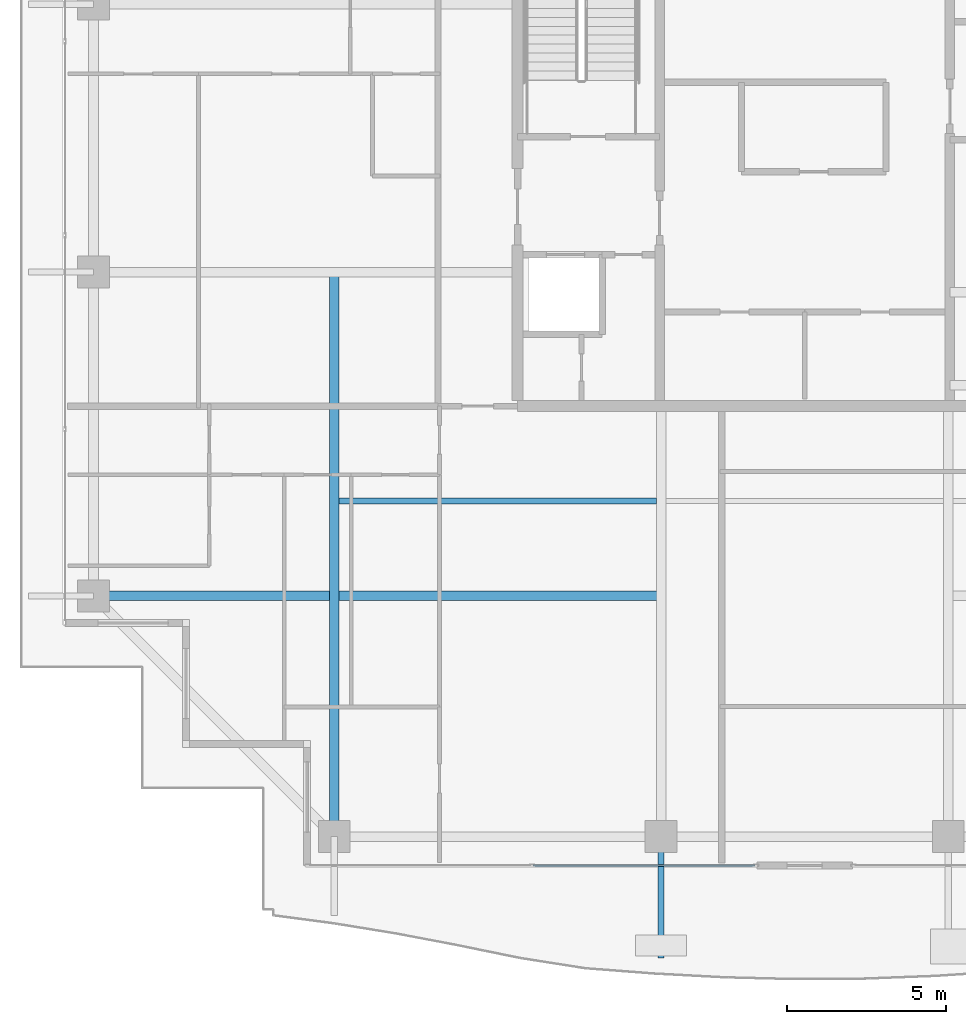
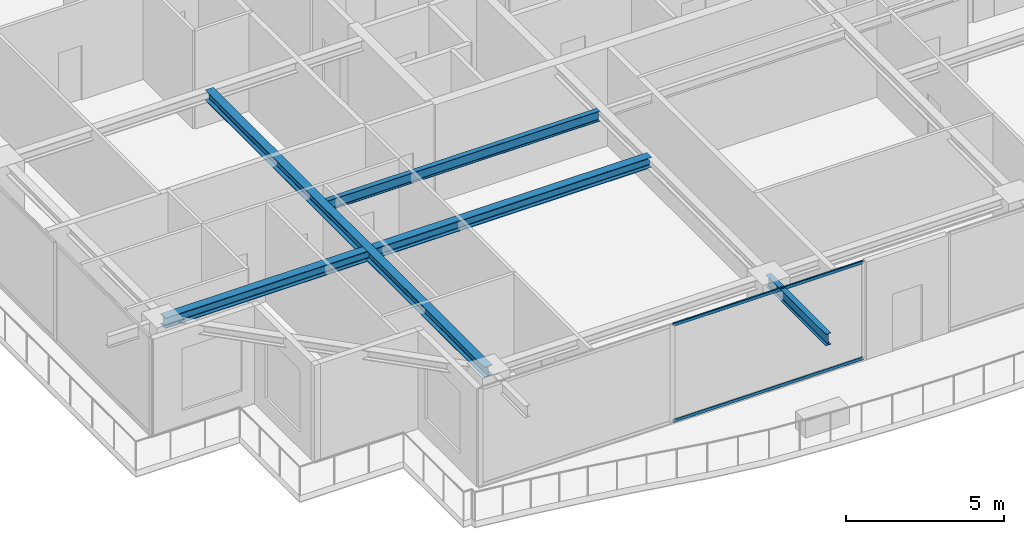
# One storey, part 5 of 42: 4 beams, 2 members, 1 element without a shape of its own.
"""IFC4 building model written with IfcOpenShell, lengths in metres."""

from ifc_helpers import new_model, si_unit, direction, frame, origin, origin_2d, place, context, subcontext, project, spatial, hollow_rectangle, i_section, extrude, source, transform, mapped, material, layer, layer_set, material_profile, profile_set, type_object, element, aggregate, save


model = new_model("IFC4")

# Units and contexts
model_context = context("Model", 3, precision=1e-05, world=origin(), true_north=direction((0.0, 1.0)))
body_context = subcontext(model_context, "Body", "Model", "MODEL_VIEW")
ifc_project = project(units=[si_unit("LENGTHUNIT", "METRE"), si_unit("AREAUNIT", "SQUARE_METRE"), si_unit("VOLUMEUNIT", "CUBIC_METRE"), si_unit("PLANEANGLEUNIT", "RADIAN"), si_unit("MASSUNIT", "GRAM", prefix="KILO")], contexts=[model_context])

# Site, building, storey
site_placement = place(None, origin())
site = spatial("IfcSite", under=ifc_project, at=site_placement, CompositionType="ELEMENT")
building_placement = place(site_placement, origin())
building = spatial("IfcBuilding", under=site, at=building_placement, Name="Serunith Strait Residences", CompositionType="ELEMENT")
storey_placement = place(building_placement, frame((0.0, 0.0, 297.5)))
storey = spatial("IfcBuildingStorey", under=building, at=storey_placement, Name="L74", CompositionType="ELEMENT", Elevation=297.5)

# Beams
ifc_material_1 = material(Name="Steel S355J2", Category="steel")
ifc_material_profile_1 = material_profile(ifc_material_1, i_section(OverallWidth=0.300048828125, OverallDepth=0.39990234375, WebThickness=0.013427734375, FlangeThickness=0.02392578125, FilletRadius=0.027099609375, at=origin_2d()), Name="HEB 400")
ifc_profile_set_1 = profile_set([ifc_material_profile_1], Name="Steel S355J2")
beam_type_1 = type_object("IfcBeamType", Name="BM-HEB400", PredefinedType="BEAM", material=ifc_profile_set_1)
shared_shape_1 = source(origin(), body_context, "Body", "SweptSolid", [
    extrude(i_section(OverallWidth=0.300048828125, OverallDepth=0.39990234375, WebThickness=0.013427734375, FlangeThickness=0.02392578125, FilletRadius=0.027099609375, at=origin_2d()), origin(), (0.0, 0.0, 1.0), 17.699951171875),
])
beam_1_placement = place(storey_placement, frame((17.64990234375, 21.0, 3.5869140625), z_axis=(0.0, -1.0, 0.0), x_axis=(1.0, 0.0, 0.0)))
element("IfcBeam", 1, at=beam_1_placement, inside=storey, type_object=beam_type_1, Name="L74 Orthogonal Corner Girder TC-S1", PredefinedType="BEAM", context=body_context, shape_type="MappedRepresentation", body=[
    mapped(shared_shape_1, transform((0.0, 0.0, 0.0), scale=1.0)),
])
shared_shape_2 = source(origin(), body_context, "Body", "SweptSolid", [
    extrude(i_section(OverallWidth=0.300048828125, OverallDepth=0.39990234375, WebThickness=0.013427734375, FlangeThickness=0.02392578125, FilletRadius=0.027099609375, at=origin_2d()), origin(), (0.0, 0.0, 1.0), 17.7998046875),
])
beam_2_placement = place(storey_placement, frame((27.89990234375, 10.85009765625, 3.5869140625), z_axis=(-1.0, 0.0, 0.0), x_axis=(0.0, -1.0, 0.0)))
element("IfcBeam", 2, at=beam_2_placement, inside=storey, type_object=beam_type_1, Name="L74 Orthogonal Corner Girder TC-W1", PredefinedType="BEAM", context=body_context, shape_type="MappedRepresentation", body=[
    mapped(shared_shape_2, transform((0.0, 0.0, 0.0), scale=1.0)),
])
ifc_material_profile_2 = material_profile(ifc_material_1, i_section(OverallWidth=0.179931640625, OverallDepth=0.39990234375, WebThickness=0.008544921875, FlangeThickness=0.013427734375, FilletRadius=0.02099609375, at=origin_2d()), Name="IPE 400")
ifc_profile_set_2 = profile_set([ifc_material_profile_2], Name="Steel S355J2")
beam_type_2 = type_object("IfcBeamType", Name="BM-IPE400", PredefinedType="JOIST", material=ifc_profile_set_2)
shared_shape_3 = source(origin(), body_context, "Body", "SweptSolid", [
    extrude(i_section(OverallWidth=0.179931640625, OverallDepth=0.39990234375, WebThickness=0.008544921875, FlangeThickness=0.013427734375, FilletRadius=0.02099609375, at=origin_2d()), origin(), (0.0, 0.0, 1.0), 9.949951171875),
])
beam_3_placement = place(storey_placement, frame((17.800048828125, 13.824951171875, 3.5869140625), z_axis=(1.0, 0.0, 0.0), x_axis=(0.0, 1.0, 0.0)))
element("IfcBeam", 3, at=beam_3_placement, inside=storey, type_object=beam_type_2, Name="L74 Composite Floor Joist 01", PredefinedType="JOIST", context=body_context, shape_type="MappedRepresentation", body=[
    mapped(shared_shape_3, transform((0.0, 0.0, 0.0), scale=1.0)),
])
ifc_material_profile_3 = material_profile(ifc_material_1, i_section(OverallWidth=0.18994140625, OverallDepth=0.449951171875, WebThickness=0.009521484375, FlangeThickness=0.0146484375, FilletRadius=0.02099609375, at=origin_2d()), Name="IPE 450")
ifc_profile_set_3 = profile_set([ifc_material_profile_3], Name="Steel S355J2")
beam_type_3 = type_object("IfcBeamType", Name="BM-IPE450", PredefinedType="JOIST", material=ifc_profile_set_3)
shared_shape_4 = source(origin(), body_context, "Body", "SweptSolid", [
    extrude(i_section(OverallWidth=0.18994140625, OverallDepth=0.449951171875, WebThickness=0.009521484375, FlangeThickness=0.0146484375, FilletRadius=0.02099609375, at=origin_2d()), origin(), (0.0, 0.0, 1.0), 3.800048828125),
])
beam_4_placement = place(storey_placement, frame((27.89990234375, 3.300048828125, 3.531982421875), z_axis=(0.0, -1.0, 0.0), x_axis=(1.0, 0.0, 0.0)))
element("IfcBeam", 4, at=beam_4_placement, inside=storey, type_object=beam_type_3, Name="L75 Cantilevered Balcony Rib TC-S2", PredefinedType="JOIST", context=body_context, shape_type="MappedRepresentation", body=[
    mapped(shared_shape_4, transform((0.0, 0.0, 0.0), scale=1.0)),
])

# Curtain wall, members
ifc_material_2 = material(Name="Brushed Stainless-Silver Aluminium", Category="aluminium")
ifc_layer = layer(ifc_material_2, 0.199951171875, Name="Brushed Stainless-Silver Aluminium")
ifc_layer_set = layer_set([ifc_layer], Name="Brushed Stainless-Silver Aluminium")
curtain_wall_type = type_object("IfcCurtainWallType", Name="CW-SYS5", PredefinedType="NOTDEFINED", material=ifc_layer_set)
curtain_wall_placement = place(storey_placement, origin())
curtain_wall = element("IfcCurtainWall", 5, at=curtain_wall_placement, inside=storey, type_object=curtain_wall_type, Name="L74 S Unitised Fritted Curtain Wall", PredefinedType="NOTDEFINED")
ifc_material_profile_4 = material_profile(ifc_material_2, hollow_rectangle(XDim=0.06005859375, YDim=0.1201171875, WallThickness=0.00341796875, InnerFilletRadius=0.00537109375, OuterFilletRadius=0.0087890625, at=origin_2d()), Name="ALU 120x60x3.5")
ifc_profile_set_4 = profile_set([ifc_material_profile_4], Name="Brushed Stainless-Silver Aluminium")
member_type = type_object("IfcMemberType", Name="CW-SYS5-TRAN", PredefinedType="USERDEFINED", material=ifc_profile_set_4)
shared_shape_5 = source(origin(), body_context, "Body", "SweptSolid", [
    extrude(hollow_rectangle(XDim=0.06005859375, YDim=0.1201171875, WallThickness=0.00341796875, InnerFilletRadius=0.00537109375, OuterFilletRadius=0.0087890625, at=origin_2d()), origin(), (0.0, 0.0, 1.0), 6.952392578125),
])
member_1_placement = place(storey_placement, frame((23.882568359375, 2.39990234375, 0.030029296875), z_axis=(1.0, 0.0, 0.0), x_axis=(0.0, 1.0, 0.0)))
member_1 = element("IfcMember", 6, at=member_1_placement, type_object=member_type, Name="CW-5 transom 2.1", ObjectType="TRANSOM", PredefinedType="USERDEFINED", context=body_context, shape_type="MappedRepresentation", body=[
    mapped(shared_shape_5, transform((0.0, 0.0, 0.0), scale=1.0)),
])
member_2_placement = place(storey_placement, frame((23.882568359375, 2.39990234375, 3.7451171875), z_axis=(1.0, 0.0, 0.0), x_axis=(0.0, 1.0, 0.0)))
member_2 = element("IfcMember", 7, at=member_2_placement, type_object=member_type, Name="CW-5 transom 2.2", ObjectType="TRANSOM", PredefinedType="USERDEFINED", context=body_context, shape_type="MappedRepresentation", body=[
    mapped(shared_shape_5, transform((0.0, 0.0, 0.0), scale=1.0)),
])
aggregate(curtain_wall, [member_1, member_2])

save(model, "model.ifc")
